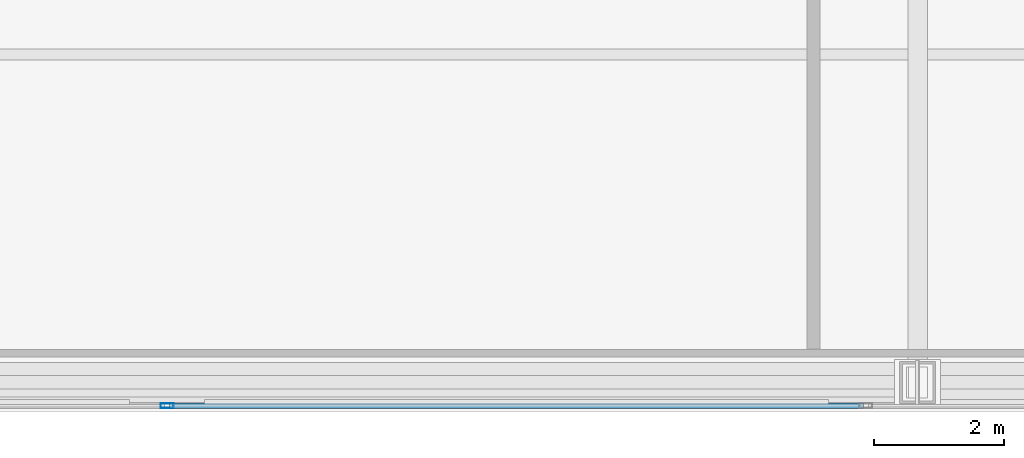
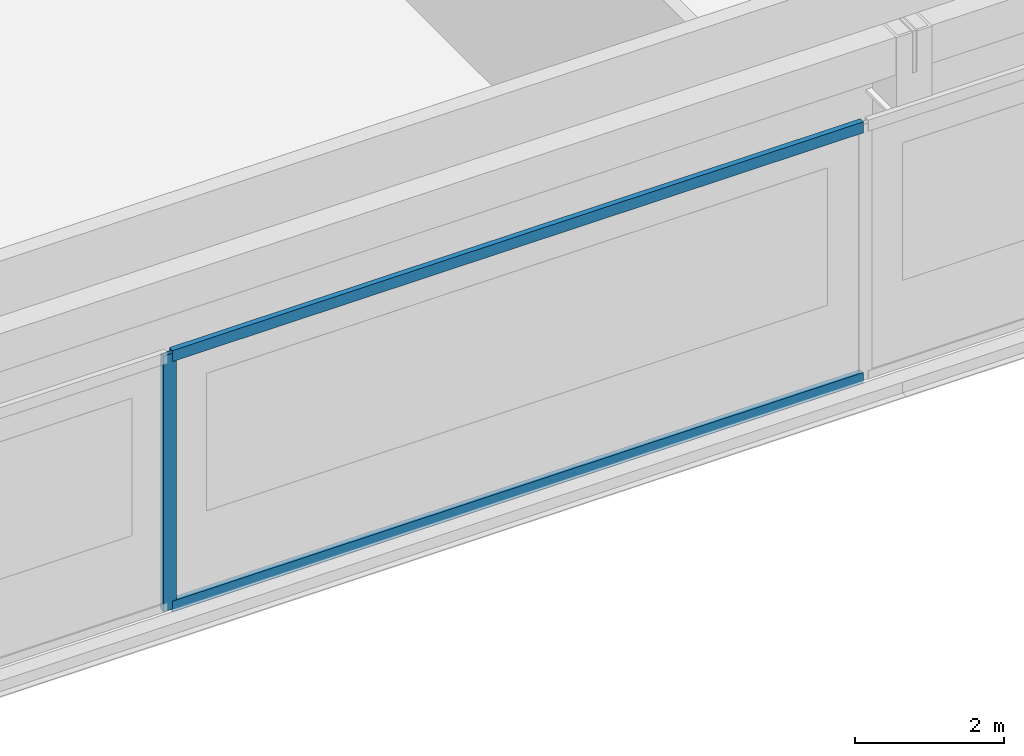
# One storey, part 6 of 24: 3 members, 1 element without a shape of its own.
"""IFC4 building model written with IfcOpenShell, lengths in metres."""

from ifc_helpers import new_model, si_unit, direction, frame, origin, origin_2d, place, context, subcontext, project, spatial, hollow_rectangle, extrude, material, material_profile, profile_set, type_object, element, aggregate, save


model = new_model("IFC4")

# Units and contexts
model_context = context("Model", 3, precision=1e-05, world=origin(), true_north=direction((0.0, 1.0)))
body_context = subcontext(model_context, "Body", "Model", "MODEL_VIEW")
ifc_project = project(units=[si_unit("LENGTHUNIT", "METRE"), si_unit("AREAUNIT", "SQUARE_METRE"), si_unit("VOLUMEUNIT", "CUBIC_METRE"), si_unit("PLANEANGLEUNIT", "RADIAN"), si_unit("MASSUNIT", "GRAM", prefix="KILO")], contexts=[model_context])

# Site, building, storey
site_placement = place(None, origin())
site = spatial("IfcSite", under=ifc_project, at=site_placement, CompositionType="ELEMENT")
building_placement = place(site_placement, origin())
building = spatial("IfcBuilding", under=site, at=building_placement, Name="Khoronbel Lancet Exchange", CompositionType="ELEMENT")
storey_placement = place(building_placement, frame((0.0, 0.0, 378.60009765625)))
storey = spatial("IfcBuildingStorey", under=building, at=storey_placement, Name="L96", CompositionType="ELEMENT", Elevation=378.60009765625)

# Curtain wall, members
ifc_material_1 = material(Name="Low-E Solar Control Insulating Glass", Category="glass")
curtain_wall_type = type_object("IfcCurtainWallType", Name="CW-6", PredefinedType="NOTDEFINED", material=ifc_material_1)
curtain_wall_placement = place(storey_placement, origin())
curtain_wall = element("IfcCurtainWall", 1, at=curtain_wall_placement, inside=storey, type_object=curtain_wall_type, Name="Unitised curtain wall CW-L96-E12", PredefinedType="NOTDEFINED")
ifc_material_2 = material(Name="Bronze-Anodised Aluminium 6063-T6", Category="aluminium")
ifc_material_profile_1 = material_profile(ifc_material_2, hollow_rectangle(XDim=0.074951171875, YDim=0.199951171875, WallThickness=0.0048828125, at=origin_2d()), Name="ALU MULLION 75x200")
ifc_profile_set_1 = profile_set([ifc_material_profile_1], Name="Bronze-Anodised Aluminium 6063-T6")
member_type_1 = type_object("IfcMemberType", Name="MEM-CWM2", PredefinedType="MULLION", material=ifc_profile_set_1)
member_1_placement = place(storey_placement, frame((36.449951171875, 9.7900390625, 0.0), z_axis=(0.0, 0.0, 1.0), x_axis=(0.0, -1.0, 0.0)))
member_1 = element("IfcMember", 2, at=member_1_placement, type_object=member_type_1, Name="CW6 mullion 3", PredefinedType="MULLION", context=body_context, shape_type="SweptSolid", body=[
    extrude(hollow_rectangle(XDim=0.074951171875, YDim=0.199951171875, WallThickness=0.0048828125, at=origin_2d()), origin(), (0.0, 0.0, 1.0), 4.179931640625),
])
ifc_material_profile_2 = material_profile(ifc_material_2, hollow_rectangle(XDim=0.0849609375, YDim=0.179931640625, WallThickness=0.0048828125, at=origin_2d()), Name="ALU TRANSOM 85x180")
ifc_profile_set_2 = profile_set([ifc_material_profile_2], Name="Bronze-Anodised Aluminium 6063-T6")
member_type_2 = type_object("IfcMemberType", Name="MEM-CWT1", PredefinedType="USERDEFINED", material=ifc_profile_set_2)
member_2_placement = place(storey_placement, frame((47.16748046875, 9.7900390625, 0.04248046875), z_axis=(-1.0, 0.0, 0.0), x_axis=(0.0, -1.0, 0.0)))
member_2 = element("IfcMember", 3, at=member_2_placement, type_object=member_type_2, Name="CW6 transom 2.1", ObjectType="TRANSOM", PredefinedType="USERDEFINED", context=body_context, shape_type="SweptSolid", body=[
    extrude(hollow_rectangle(XDim=0.0849609375, YDim=0.179931640625, WallThickness=0.0048828125, at=origin_2d()), origin(), (0.0, 0.0, 1.0), 10.679931640625),
])
member_3_placement = place(storey_placement, frame((47.16748046875, 9.7900390625, 4.137451171875), z_axis=(-1.0, 0.0, 0.0), x_axis=(0.0, -1.0, 0.0)))
member_3 = element("IfcMember", 4, at=member_3_placement, type_object=member_type_2, Name="CW6 transom 2.2", ObjectType="TRANSOM", PredefinedType="USERDEFINED", context=body_context, shape_type="SweptSolid", body=[
    extrude(hollow_rectangle(XDim=0.0849609375, YDim=0.179931640625, WallThickness=0.0048828125, at=origin_2d()), origin(), (0.0, 0.0, 1.0), 10.679931640625),
])
aggregate(curtain_wall, [member_1, member_2, member_3])

save(model, "model.ifc")
